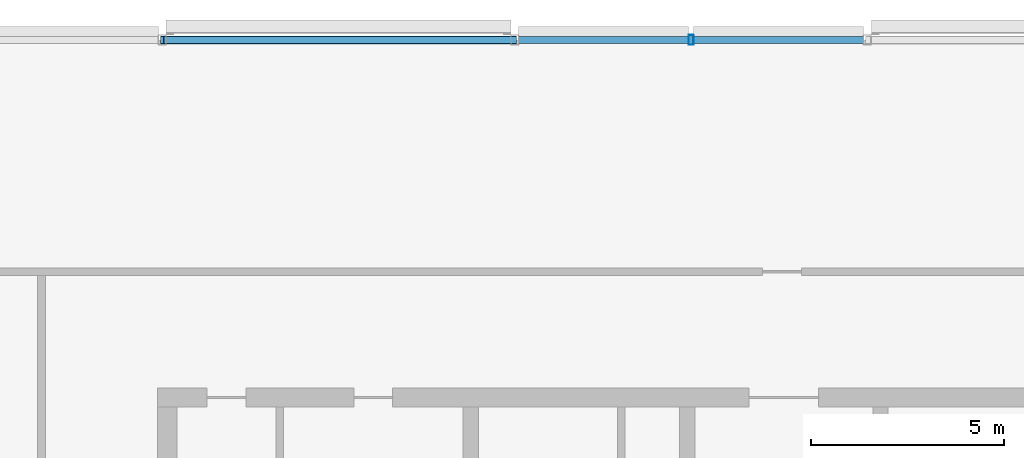
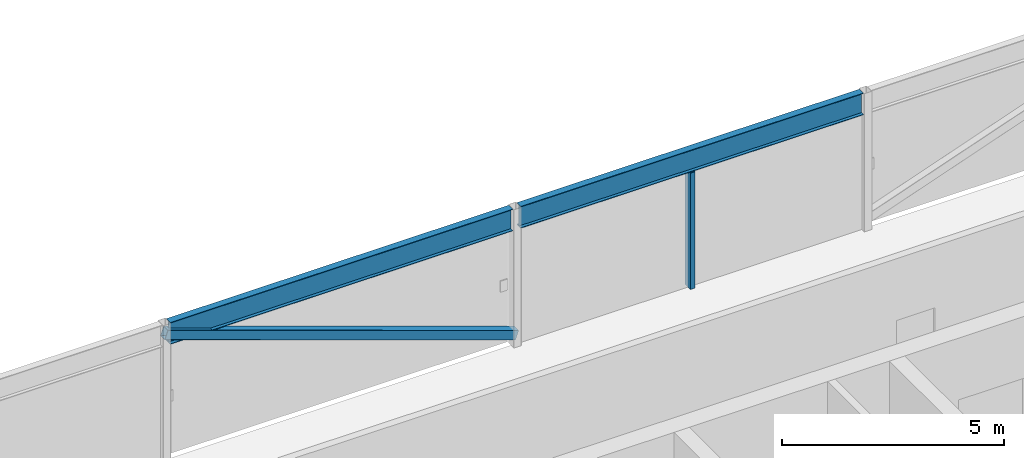
# One storey, part 12 of 28: 2 beams, 2 members.
"""IFC4 building model written with IfcOpenShell, lengths in metres."""

import ifcopenshell
import ifcopenshell.guid

model = None  # the IFC model being written
_history = None  # IfcOwnerHistory: only IFC2X3 demands one
_inside = {}  # id of a spatial element -> (the spatial element, [elements in it])
_under = {}  # id of a project, library or spatial element -> (it, [spatial elements below it])
_declared = {}  # id of a project -> (the project, [libraries it declares])
_typed = {}  # id of a type object -> (the type object, [elements of that type])
_made_of = {}  # id of a material, layer set ... -> (it, [elements and type objects made of it])


def new_model(schema):
    """Start an empty IFC model of exactly this schema.

    Asked for "IFC4X3", IfcOpenShell would pick the latest addendum, in which some entities
    have other attributes; the version numbers below select the first issue.
    IFC2X3 requires an IfcOwnerHistory on every rooted entity: one is made here for all.
    """
    global model, _history
    if schema == "IFC4X3":
        model = ifcopenshell.file(schema_version=(4, 3, 0, 0))
    else:
        model = ifcopenshell.file(schema=schema)
    _inside.clear()
    _under.clear()
    _declared.clear()
    _typed.clear()
    _made_of.clear()
    _history = None
    if model.schema == "IFC2X3":
        org = make("IfcOrganization", Name="unknown")
        user = make(
            "IfcPersonAndOrganization",
            ThePerson=make("IfcPerson", FamilyName="unknown"),
            TheOrganization=org,
        )
        app = make(
            "IfcApplication",
            ApplicationDeveloper=org,
            Version="unknown",
            ApplicationFullName="unknown",
            ApplicationIdentifier="unknown",
        )
        _history = make(
            "IfcOwnerHistory",
            OwningUser=user,
            OwningApplication=app,
            ChangeAction="ADDED",
            CreationDate=0,
        )
    return model


def make(cls, **values):
    """One entity of the class cls with the attributes given. An attribute that is None is left unset."""
    return model.create_entity(
        cls, **{name: value for name, value in values.items() if value is not None}
    )


def rooted(cls, **values):
    """An entity with a GlobalId (a new one), such as an element, a storey or a relation."""
    return make(cls, GlobalId=ifcopenshell.guid.new(), OwnerHistory=_history, **values)


def si_unit(unit_type, name, prefix=None):
    """IfcSIUnit, for example si_unit("LENGTHUNIT", "METRE", prefix="MILLI")."""
    return make("IfcSIUnit", UnitType=unit_type, Prefix=prefix, Name=name)


def assignment(units):
    """IfcUnitAssignment: the units of a project."""
    return None if units is None else make("IfcUnitAssignment", Units=units)


def point(xyz):
    """IfcCartesianPoint."""
    return None if xyz is None else make("IfcCartesianPoint", Coordinates=xyz)


def direction(xyz):
    """IfcDirection."""
    return None if xyz is None else make("IfcDirection", DirectionRatios=xyz)


def frame(location, z_axis=None, x_axis=None):
    """IfcAxis2Placement3D, a coordinate frame: its origin and axes. An axis left out is left unset."""
    return make(
        "IfcAxis2Placement3D",
        Location=point(location),
        Axis=direction(z_axis),
        RefDirection=direction(x_axis),
    )


def frame_2d(location, x_axis=None):
    """IfcAxis2Placement2D, a coordinate frame in the plane: its origin and x axis."""
    return make(
        "IfcAxis2Placement2D", Location=point(location), RefDirection=direction(x_axis)
    )


def origin():
    """The frame at (0, 0, 0) with its axes left unset."""
    return frame((0.0, 0.0, 0.0))


def origin_2d():
    """The frame at (0, 0) in the plane with its x axis left unset."""
    return frame_2d((0.0, 0.0))


def place(relative_to, where):
    """IfcLocalPlacement: puts the frame where relative to a parent placement (None: the world)."""
    return make(
        "IfcLocalPlacement", PlacementRelTo=relative_to, RelativePlacement=where
    )


def context(
    kind, dimensions, precision=None, world=None, true_north=None, identifier=None
):
    """IfcGeometricRepresentationContext, for example the 3D "Model" context."""
    return make(
        "IfcGeometricRepresentationContext",
        ContextIdentifier=identifier,
        ContextType=kind,
        CoordinateSpaceDimension=dimensions,
        Precision=precision,
        WorldCoordinateSystem=world,
        TrueNorth=true_north,
    )


def subcontext(parent, identifier, kind, view, scale=None):
    """IfcGeometricRepresentationSubContext, for example "Body" below "Model"."""
    return make(
        "IfcGeometricRepresentationSubContext",
        ContextIdentifier=identifier,
        ContextType=kind,
        ParentContext=parent,
        TargetScale=scale,
        TargetView=view,
    )


def project(units=None, contexts=None):
    """IfcProject with its units and contexts."""
    return rooted(
        "IfcProject",
        Name="project",
        RepresentationContexts=contexts,
        UnitsInContext=assignment(units),
    )


def spatial(cls, under=None, at=None, **own):
    """A site, building, storey or space (cls), placed at a placement, below another one or the project."""
    s = rooted(cls, ObjectPlacement=at, **own)
    if under is not None:
        _under.setdefault(under.id(), (under, []))[1].append(s)
    return s


def profile(cls, at=None, kind="AREA", **sizes):
    """A parametric profile (cls). Its sizes go by their IFC names, for example OverallWidth=200.0."""
    return make(cls, ProfileType=kind, Position=at, **sizes)


def hollow_rectangle(**sizes):
    """IfcRectangleHollowProfileDef."""
    return profile("IfcRectangleHollowProfileDef", **sizes)


def i_section(**sizes):
    """IfcIShapeProfileDef."""
    return profile("IfcIShapeProfileDef", **sizes)


def extrude(swept, where, along, depth):
    """IfcExtrudedAreaSolid: the profile swept, set in the frame where, extruded along a direction by depth."""
    return make(
        "IfcExtrudedAreaSolid",
        SweptArea=swept,
        Position=where,
        ExtrudedDirection=direction(along),
        Depth=depth,
    )


def shape(context_of_items, identifier, shape_type, items):
    """IfcShapeRepresentation: the items that make up one representation, for example the "Body"."""
    return make(
        "IfcShapeRepresentation",
        ContextOfItems=context_of_items,
        RepresentationIdentifier=identifier,
        RepresentationType=shape_type,
        Items=items,
    )


def material(Name=None, Category=None):
    """IfcMaterial."""
    return make("IfcMaterial", Name=Name, Category=Category)


def material_profile(
    of_material, cross_section, Name=None, Category=None, Priority=None
):
    """IfcMaterialProfile: a cross section and its material."""
    return make(
        "IfcMaterialProfile",
        Name=Name,
        Material=of_material,
        Profile=cross_section,
        Priority=Priority,
        Category=Category,
    )


def profile_set(profiles, Name=None, composite=None):
    """IfcMaterialProfileSet."""
    return make(
        "IfcMaterialProfileSet",
        Name=Name,
        MaterialProfiles=profiles,
        CompositeProfile=composite,
    )


def made_of(thing, what):
    """Note that an element or type object is made of a material, layer set ...; save() writes the relation."""
    if what is not None:
        _made_of.setdefault(what.id(), (what, []))[1].append(thing)
    return thing


def type_object(cls, material=None, **own):
    """A type object (cls), such as IfcWallType, which elements share."""
    return made_of(rooted(cls, **own), material)


def element(
    cls,
    number,
    at=None,
    inside=None,
    cuts=None,
    type_object=None,
    material=None,
    context=None,
    identifier="Body",
    shape_type=None,
    held_by="IfcProductDefinitionShape",
    body=None,
    shapes=None,
    **own,
):
    """One element of the class cls, such as IfcWall. Its Tag is "e" and its number.

    at: its placement. inside: the storey or other place that contains it. cuts: it is an
    opening in that element (IfcRelVoidsElement). A single representation is given by context,
    identifier, shape_type and body (its items); several are given by shapes. held_by: the class
    of the entity that holds the representations. save() writes the other relations.
    """
    e = rooted(cls, Tag="e%d" % number, ObjectPlacement=at, **own)
    if body is not None:
        shapes = [shape(context, identifier, shape_type, body)]
    if shapes is not None:
        e.Representation = make(held_by, Representations=shapes)
    if inside is not None:
        _inside.setdefault(inside.id(), (inside, []))[1].append(e)
    if cuts is not None:
        rooted(
            "IfcRelVoidsElement", RelatingBuildingElement=cuts, RelatedOpeningElement=e
        )
    if type_object is not None:
        _typed.setdefault(type_object.id(), (type_object, []))[1].append(e)
    return made_of(e, material)


def aggregate(whole, parts):
    """IfcRelAggregates: a whole, such as a stair, and the parts it consists of."""
    return rooted("IfcRelAggregates", RelatingObject=whole, RelatedObjects=parts)


def save(model, path):
    """Write the relations noted so far, then the file.

    IfcRelAggregates (storeys below a building ...), IfcRelContainedInSpatialStructure (elements
    in a storey), IfcRelDefinesByType, IfcRelAssociatesMaterial and IfcRelDeclares: one each for
    every whole, place, type object, material and project.
    """
    for whole, parts in _under.values():
        aggregate(whole, parts)
    for where, things in _inside.values():
        rooted(
            "IfcRelContainedInSpatialStructure",
            RelatedElements=things,
            RelatingStructure=where,
        )
    for kind, things in _typed.values():
        rooted("IfcRelDefinesByType", RelatedObjects=things, RelatingType=kind)
    for what, things in _made_of.values():
        rooted("IfcRelAssociatesMaterial", RelatedObjects=things, RelatingMaterial=what)
    for by, libraries in _declared.values():
        rooted("IfcRelDeclares", RelatingContext=by, RelatedDefinitions=libraries)
    model.write(path)


model = new_model("IFC4")

# Units and contexts
model_context = context("Model", 3, precision=1e-05, world=origin(), true_north=direction((0.0, 1.0)))
body_context = subcontext(model_context, "Body", "Model", "MODEL_VIEW")
ifc_project = project(units=[si_unit("LENGTHUNIT", "METRE"), si_unit("AREAUNIT", "SQUARE_METRE"), si_unit("VOLUMEUNIT", "CUBIC_METRE"), si_unit("PLANEANGLEUNIT", "RADIAN"), si_unit("MASSUNIT", "GRAM", prefix="KILO")], contexts=[model_context])

# Site, building, storey
site_placement = place(None, origin())
site = spatial("IfcSite", under=ifc_project, at=site_placement, CompositionType="ELEMENT")
building_placement = place(site_placement, origin())
building = spatial("IfcBuilding", under=site, at=building_placement, Name="Madar Terraces", CompositionType="ELEMENT")
storey_placement = place(building_placement, frame((0.0, 0.0, 310.10009765625)))
storey = spatial("IfcBuildingStorey", under=building, at=storey_placement, Name="L80", CompositionType="ELEMENT", Elevation=310.10009765625)

# Beams
ifc_material_1 = material(Name="Steel ASTM A992 Grade 50", Category="steel")
ifc_material_profile_1 = material_profile(ifc_material_1, i_section(OverallWidth=0.1787109375, OverallDepth=0.60205078125, WebThickness=0.010986328125, FlangeThickness=0.014892578125, at=origin_2d()), Name="W24x62")
ifc_profile_set_1 = profile_set([ifc_material_profile_1], Name="Steel ASTM A992 Grade 50")
beam_type = type_object("IfcBeamType", Name="CF2 W24x62", PredefinedType="BEAM", material=ifc_profile_set_1)
for number, where, z_axis, x_axis, name in (
    (1, (33.25830078125, 46.800048828125, 3.4990234375), (-1.0, 0.0, 0.0), (0.0, -1.0, 0.0), "Crown frame ring beam CF2"),
    (2, (24.138427734375, 46.800048828125, 3.4990234375), (-1.0, 0.0, 0.0), (0.0, -1.0, 0.0), "Crown frame ring beam CF2"),
):
    element("IfcBeam", number, at=place(storey_placement, frame(where, z_axis=z_axis, x_axis=x_axis)), inside=storey, type_object=beam_type, Name=name, PredefinedType="BEAM", context=body_context, shape_type="SweptSolid", body=[
        extrude(i_section(OverallWidth=0.1787109375, OverallDepth=0.60205078125, WebThickness=0.010986328125, FlangeThickness=0.014892578125, at=origin_2d()), origin(), (0.0, 0.0, 1.0), 8.916748046875),
    ])

# Members
ifc_material_2 = material(Name="Steel ASTM A500 Grade C", Category="steel")
ifc_material_profile_2 = material_profile(ifc_material_2, hollow_rectangle(XDim=0.203125, YDim=0.25390625, WallThickness=0.009521484375, InnerFilletRadius=0.00439453125, OuterFilletRadius=0.01318359375, at=origin_2d()), Name="HSS10x8x.375")
ifc_profile_set_2 = profile_set([ifc_material_profile_2], Name="Steel ASTM A500 Grade C")
member_type_1 = type_object("IfcMemberType", Name="CF5 crown frame brace HSS10x8x.375", PredefinedType="BRACE", material=ifc_profile_set_2)
member_1_placement = place(storey_placement, frame((24.239990234375, 46.800048828125, 0.2998046875), z_axis=(-0.943623793822, 0.0, 0.331019841902), x_axis=(0.0, -1.0, 0.0)))
element("IfcMember", 3, at=member_1_placement, inside=storey, type_object=member_type_1, Name="Crown frame brace CF5", PredefinedType="BRACE", context=body_context, shape_type="SweptSolid", body=[
    extrude(hollow_rectangle(XDim=0.203125, YDim=0.25390625, WallThickness=0.009521484375, InnerFilletRadius=0.00439453125, OuterFilletRadius=0.01318359375, at=origin_2d()), origin(), (0.0, 0.0, 1.0), 9.664794921875),
])
ifc_material_3 = material(Name="Steel ASTM A500 Grade C", Category="steel")
ifc_material_profile_3 = material_profile(ifc_material_3, hollow_rectangle(XDim=0.126953125, YDim=0.25390625, WallThickness=0.00634765625, InnerFilletRadius=0.0029296875, OuterFilletRadius=0.0087890625, at=origin_2d()), Name="HSS10x5x.25")
ifc_profile_set_3 = profile_set([ifc_material_profile_3], Name="Steel ASTM A500 Grade C")
member_type_2 = type_object("IfcMemberType", Name="LS2 HSS10x5x.25", PredefinedType="POST", material=ifc_profile_set_3)
member_2_placement = place(storey_placement, frame((28.800048828125, 46.800048828125, 0.0), z_axis=(0.0, 0.0, 1.0), x_axis=(-1.0, 0.0, 0.0)))
element("IfcMember", 4, at=member_2_placement, inside=storey, type_object=member_type_2, Name="Crown louvre post LS2", PredefinedType="POST", context=body_context, shape_type="SweptSolid", body=[
    extrude(hollow_rectangle(XDim=0.126953125, YDim=0.25390625, WallThickness=0.00634765625, InnerFilletRadius=0.0029296875, OuterFilletRadius=0.0087890625, at=origin_2d()), origin(), (0.0, 0.0, 1.0), 3.197998046875),
])

save(model, "model.ifc")
